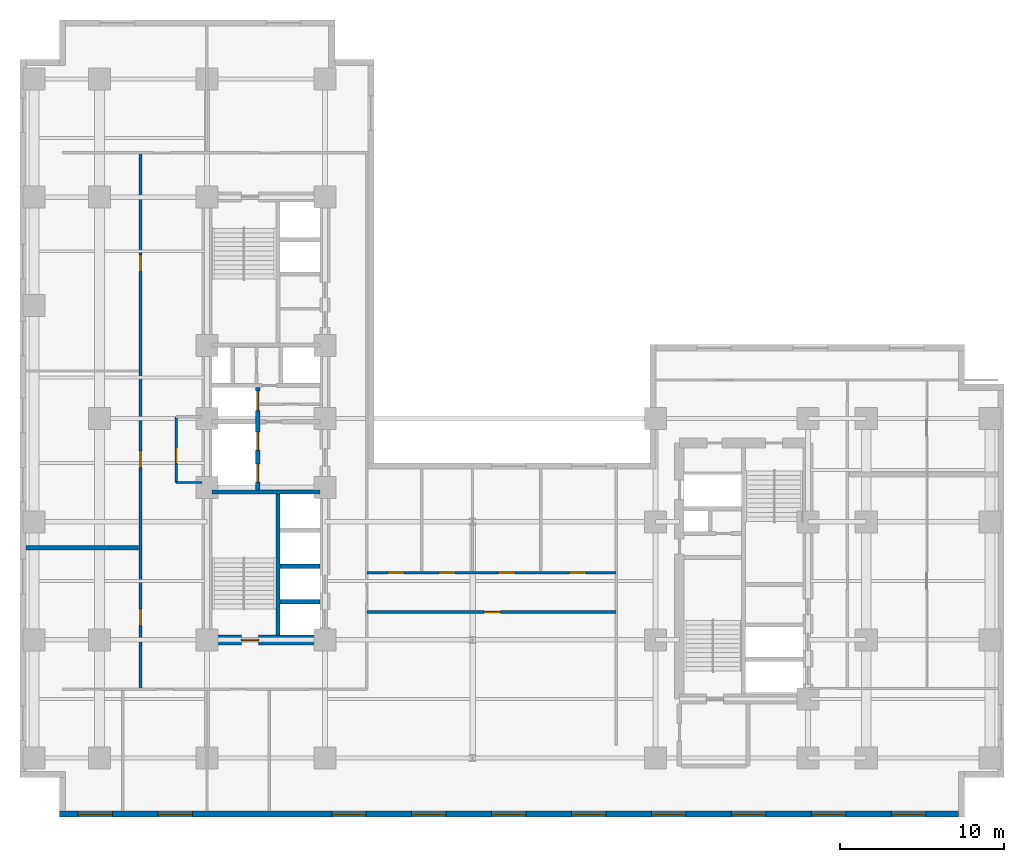
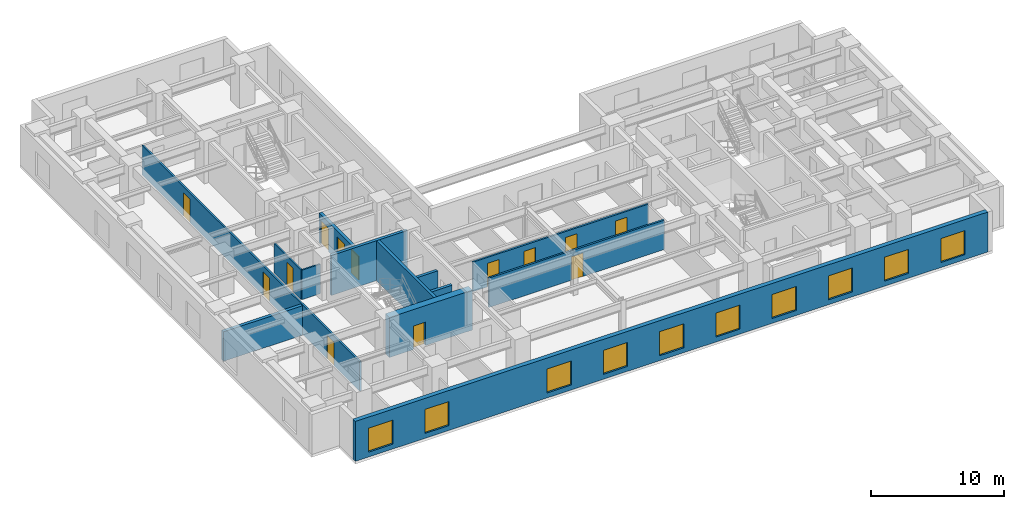
# One storey, part 3 of 9: 13 doors, 13 walls, 10 windows, 23 openings.
"""IFC4 building model written with IfcOpenShell, lengths in metres."""

import ifcopenshell
import ifcopenshell.guid

model = None  # the IFC model being written
_history = None  # IfcOwnerHistory: only IFC2X3 demands one
_inside = {}  # id of a spatial element -> (the spatial element, [elements in it])
_under = {}  # id of a project, library or spatial element -> (it, [spatial elements below it])
_declared = {}  # id of a project -> (the project, [libraries it declares])
_typed = {}  # id of a type object -> (the type object, [elements of that type])
_made_of = {}  # id of a material, layer set ... -> (it, [elements and type objects made of it])


def new_model(schema):
    """Start an empty IFC model of exactly this schema.

    Asked for "IFC4X3", IfcOpenShell would pick the latest addendum, in which some entities
    have other attributes; the version numbers below select the first issue.
    IFC2X3 requires an IfcOwnerHistory on every rooted entity: one is made here for all.
    """
    global model, _history
    if schema == "IFC4X3":
        model = ifcopenshell.file(schema_version=(4, 3, 0, 0))
    else:
        model = ifcopenshell.file(schema=schema)
    _inside.clear()
    _under.clear()
    _declared.clear()
    _typed.clear()
    _made_of.clear()
    _history = None
    if model.schema == "IFC2X3":
        org = make("IfcOrganization", Name="unknown")
        user = make(
            "IfcPersonAndOrganization",
            ThePerson=make("IfcPerson", FamilyName="unknown"),
            TheOrganization=org,
        )
        app = make(
            "IfcApplication",
            ApplicationDeveloper=org,
            Version="unknown",
            ApplicationFullName="unknown",
            ApplicationIdentifier="unknown",
        )
        _history = make(
            "IfcOwnerHistory",
            OwningUser=user,
            OwningApplication=app,
            ChangeAction="ADDED",
            CreationDate=0,
        )
    return model


def make(cls, **values):
    """One entity of the class cls with the attributes given. An attribute that is None is left unset."""
    return model.create_entity(
        cls, **{name: value for name, value in values.items() if value is not None}
    )


def entity(cls, *values):
    """Any entity or typed value of the class cls, its attributes in the order of the schema. None: left unset."""
    e = model.create_entity(cls)
    for i, value in enumerate(values):
        if value is not None:
            e[i] = value
    return e


def rooted(cls, **values):
    """An entity with a GlobalId (a new one), such as an element, a storey or a relation."""
    return make(cls, GlobalId=ifcopenshell.guid.new(), OwnerHistory=_history, **values)


def si_unit(unit_type, name, prefix=None):
    """IfcSIUnit, for example si_unit("LENGTHUNIT", "METRE", prefix="MILLI")."""
    return make("IfcSIUnit", UnitType=unit_type, Prefix=prefix, Name=name)


def converted_unit(unit_type, name, factor, base, dimensions=None, offset=None):
    """IfcConversionBasedUnit, such as the inch: factor (a typed value) times the base unit."""
    return make(
        "IfcConversionBasedUnit"
        if offset is None
        else "IfcConversionBasedUnitWithOffset",
        ConversionOffset=offset,
        Dimensions=None
        if dimensions is None
        else entity("IfcDimensionalExponents", *dimensions),
        UnitType=unit_type,
        Name=name,
        ConversionFactor=make(
            "IfcMeasureWithUnit", ValueComponent=factor, UnitComponent=base
        ),
    )


def assignment(units):
    """IfcUnitAssignment: the units of a project."""
    return None if units is None else make("IfcUnitAssignment", Units=units)


def point(xyz):
    """IfcCartesianPoint."""
    return None if xyz is None else make("IfcCartesianPoint", Coordinates=xyz)


def direction(xyz):
    """IfcDirection."""
    return None if xyz is None else make("IfcDirection", DirectionRatios=xyz)


def frame(location, z_axis=None, x_axis=None):
    """IfcAxis2Placement3D, a coordinate frame: its origin and axes. An axis left out is left unset."""
    return make(
        "IfcAxis2Placement3D",
        Location=point(location),
        Axis=direction(z_axis),
        RefDirection=direction(x_axis),
    )


def frame_2d(location, x_axis=None):
    """IfcAxis2Placement2D, a coordinate frame in the plane: its origin and x axis."""
    return make(
        "IfcAxis2Placement2D", Location=point(location), RefDirection=direction(x_axis)
    )


def origin_with_axes():
    """The frame at (0, 0, 0) with the z axis (0, 0, 1) and the x axis (1, 0, 0) written out."""
    return frame((0.0, 0.0, 0.0), z_axis=(0.0, 0.0, 1.0), x_axis=(1.0, 0.0, 0.0))


def origin_2d_with_axis():
    """The frame at (0, 0) in the plane with the x axis (1, 0) written out."""
    return frame_2d((0.0, 0.0), x_axis=(1.0, 0.0))


def place(relative_to, where):
    """IfcLocalPlacement: puts the frame where relative to a parent placement (None: the world)."""
    return make(
        "IfcLocalPlacement", PlacementRelTo=relative_to, RelativePlacement=where
    )


def context(
    kind, dimensions, precision=None, world=None, true_north=None, identifier=None
):
    """IfcGeometricRepresentationContext, for example the 3D "Model" context."""
    return make(
        "IfcGeometricRepresentationContext",
        ContextIdentifier=identifier,
        ContextType=kind,
        CoordinateSpaceDimension=dimensions,
        Precision=precision,
        WorldCoordinateSystem=world,
        TrueNorth=true_north,
    )


def subcontext(parent, identifier, kind, view, scale=None):
    """IfcGeometricRepresentationSubContext, for example "Body" below "Model"."""
    return make(
        "IfcGeometricRepresentationSubContext",
        ContextIdentifier=identifier,
        ContextType=kind,
        ParentContext=parent,
        TargetScale=scale,
        TargetView=view,
    )


def project(units=None, contexts=None):
    """IfcProject with its units and contexts."""
    return rooted(
        "IfcProject",
        Name="project",
        RepresentationContexts=contexts,
        UnitsInContext=assignment(units),
    )


def spatial(cls, under=None, at=None, **own):
    """A site, building, storey or space (cls), placed at a placement, below another one or the project."""
    s = rooted(cls, ObjectPlacement=at, **own)
    if under is not None:
        _under.setdefault(under.id(), (under, []))[1].append(s)
    return s


def polyline(points):
    """IfcPolyline through the points."""
    return make("IfcPolyline", Points=[point(p) for p in points])


def profile(cls, at=None, kind="AREA", **sizes):
    """A parametric profile (cls). Its sizes go by their IFC names, for example OverallWidth=200.0."""
    return make(cls, ProfileType=kind, Position=at, **sizes)


def rectangle(**sizes):
    """IfcRectangleProfileDef."""
    return profile("IfcRectangleProfileDef", **sizes)


def outline(outer, holes=None, kind="AREA"):
    """IfcArbitraryClosedProfileDef: a profile drawn as a closed curve; with holes, ...WithVoids."""
    if holes is None:
        return make("IfcArbitraryClosedProfileDef", ProfileType=kind, OuterCurve=outer)
    return make(
        "IfcArbitraryProfileDefWithVoids",
        ProfileType=kind,
        OuterCurve=outer,
        InnerCurves=holes,
    )


def extrude(swept, where, along, depth):
    """IfcExtrudedAreaSolid: the profile swept, set in the frame where, extruded along a direction by depth."""
    return make(
        "IfcExtrudedAreaSolid",
        SweptArea=swept,
        Position=where,
        ExtrudedDirection=direction(along),
        Depth=depth,
    )


def shape(context_of_items, identifier, shape_type, items):
    """IfcShapeRepresentation: the items that make up one representation, for example the "Body"."""
    return make(
        "IfcShapeRepresentation",
        ContextOfItems=context_of_items,
        RepresentationIdentifier=identifier,
        RepresentationType=shape_type,
        Items=items,
    )


def material(Name=None, Category=None):
    """IfcMaterial."""
    return make("IfcMaterial", Name=Name, Category=Category)


def layer(
    of_material, thickness, ventilated=None, Name=None, Category=None, Priority=None
):
    """IfcMaterialLayer: one layer of a wall or slab, of a material (None: an air gap)."""
    return make(
        "IfcMaterialLayer",
        Material=of_material,
        LayerThickness=thickness,
        IsVentilated=ventilated,
        Name=Name,
        Category=Category,
        Priority=Priority,
    )


def layer_set(layers, Name=None):
    """IfcMaterialLayerSet."""
    return make("IfcMaterialLayerSet", MaterialLayers=layers, LayerSetName=Name)


def made_of(thing, what):
    """Note that an element or type object is made of a material, layer set ...; save() writes the relation."""
    if what is not None:
        _made_of.setdefault(what.id(), (what, []))[1].append(thing)
    return thing


def type_object(cls, material=None, **own):
    """A type object (cls), such as IfcWallType, which elements share."""
    return made_of(rooted(cls, **own), material)


def element(
    cls,
    number,
    at=None,
    inside=None,
    cuts=None,
    type_object=None,
    material=None,
    context=None,
    identifier="Body",
    shape_type=None,
    held_by="IfcProductDefinitionShape",
    body=None,
    shapes=None,
    **own,
):
    """One element of the class cls, such as IfcWall. Its Tag is "e" and its number.

    at: its placement. inside: the storey or other place that contains it. cuts: it is an
    opening in that element (IfcRelVoidsElement). A single representation is given by context,
    identifier, shape_type and body (its items); several are given by shapes. held_by: the class
    of the entity that holds the representations. save() writes the other relations.
    """
    e = rooted(cls, Tag="e%d" % number, ObjectPlacement=at, **own)
    if body is not None:
        shapes = [shape(context, identifier, shape_type, body)]
    if shapes is not None:
        e.Representation = make(held_by, Representations=shapes)
    if inside is not None:
        _inside.setdefault(inside.id(), (inside, []))[1].append(e)
    if cuts is not None:
        rooted(
            "IfcRelVoidsElement", RelatingBuildingElement=cuts, RelatedOpeningElement=e
        )
    if type_object is not None:
        _typed.setdefault(type_object.id(), (type_object, []))[1].append(e)
    return made_of(e, material)


def fill(opening, filler):
    """IfcRelFillsElement: the door or window that sits in an opening."""
    return rooted(
        "IfcRelFillsElement",
        RelatingOpeningElement=opening,
        RelatedBuildingElement=filler,
    )


def aggregate(whole, parts):
    """IfcRelAggregates: a whole, such as a stair, and the parts it consists of."""
    return rooted("IfcRelAggregates", RelatingObject=whole, RelatedObjects=parts)


def save(model, path):
    """Write the relations noted so far, then the file.

    IfcRelAggregates (storeys below a building ...), IfcRelContainedInSpatialStructure (elements
    in a storey), IfcRelDefinesByType, IfcRelAssociatesMaterial and IfcRelDeclares: one each for
    every whole, place, type object, material and project.
    """
    for whole, parts in _under.values():
        aggregate(whole, parts)
    for where, things in _inside.values():
        rooted(
            "IfcRelContainedInSpatialStructure",
            RelatedElements=things,
            RelatingStructure=where,
        )
    for kind, things in _typed.values():
        rooted("IfcRelDefinesByType", RelatedObjects=things, RelatingType=kind)
    for what, things in _made_of.values():
        rooted("IfcRelAssociatesMaterial", RelatedObjects=things, RelatingMaterial=what)
    for by, libraries in _declared.values():
        rooted("IfcRelDeclares", RelatingContext=by, RelatedDefinitions=libraries)
    model.write(path)


model = new_model("IFC4")

# Units and contexts
model_context = context("Model", 3, precision=1e-05, world=origin_with_axes(), true_north=direction((0.0, 1.0)))
body_context = subcontext(model_context, "Body", "Model", "MODEL_VIEW")
ifc_project = project(units=[si_unit("LENGTHUNIT", "METRE"), si_unit("AREAUNIT", "SQUARE_METRE"), si_unit("VOLUMEUNIT", "CUBIC_METRE"), converted_unit("PLANEANGLEUNIT", "DEGREE", entity("IfcPlaneAngleMeasure", 0.017453292519943295), si_unit("PLANEANGLEUNIT", "RADIAN"), dimensions=[0, 0, 0, 0, 0, 0, 0]), si_unit("MASSUNIT", "GRAM", prefix="KILO"), si_unit("THERMODYNAMICTEMPERATUREUNIT", "KELVIN")], contexts=[model_context])

# Site, building, storey
site_placement = place(None, origin_with_axes())
site = spatial("IfcSite", under=ifc_project, at=site_placement, CompositionType="ELEMENT")
building_placement = place(site_placement, origin_with_axes())
building = spatial("IfcBuilding", under=site, at=building_placement, Name="Varnlund Millrace Tower", CompositionType="ELEMENT")
storey_placement = place(building_placement, frame((0.0, 0.0, 63.9), z_axis=(0.0, 0.0, 1.0), x_axis=(1.0, 0.0, 0.0)))
storey = spatial("IfcBuildingStorey", under=building, at=storey_placement, Name="L15", CompositionType="ELEMENT", Elevation=63.9)

# Wall, opening, door
ifc_material_1 = material(Name="Concrete C80/95", Category="concrete")
ifc_layer_1 = layer(ifc_material_1, 0.6, Name="Concrete C80/95")
ifc_layer_set_1 = layer_set([ifc_layer_1], Name="Concrete C80/95")
wall_type_1 = type_object("IfcWallType", Name="Type-CoreWall-Shear-600-C80", PredefinedType="SHEAR", material=ifc_layer_set_1)
wall_1_placement = place(storey_placement, frame((11.4, 10.8, 0.0), z_axis=(0.0, 0.0, 1.0), x_axis=(1.0, 0.0, 0.0)))
wall_1 = element("IfcWall", 1, at=wall_1_placement, inside=storey, type_object=wall_type_1, Name="Type-CoreWall-Shear-600-C80", PredefinedType="SHEAR", context=body_context, shape_type="SweptSolid", body=[
    extrude(outline(polyline([(0.0, -0.3), (7.2, -0.3), (7.2, 0.3), (0.0, 0.3), (0.0, -0.3)])), origin_with_axes(), (0.0, 0.0, 1.0), 3.66),
])
opening_1_placement = place(wall_1_placement, frame((2.625, 0.0, 0.0), z_axis=(0.0, 0.0, 1.0), x_axis=(1.0, 0.0, 0.0)))
opening_1 = element("IfcOpeningElement", 2, at=opening_1_placement, cuts=wall_1, Name="Opening L15:DR-STA1", PredefinedType="OPENING", context=body_context, shape_type="SweptSolid", body=[
    extrude(rectangle(XDim=1.05, YDim=0.62, at=origin_2d_with_axis()), origin_with_axes(), (0.0, 0.0, 1.0), 2.15),
])
ifc_material_2 = material(Name="Fire-rated hollow steel door", Category="steel")
door_type_1 = type_object("IfcDoorType", Name="Type-FireDoor-Stair-1050X2150", OperationType="NOTDEFINED", PredefinedType="DOOR", material=ifc_material_2)
door_1_placement = place(wall_1_placement, frame((2.625, 0.0, 0.0), z_axis=(0.0, 0.0, 1.0), x_axis=(1.0, 0.0, 0.0)))
door_1 = element("IfcDoor", 3, at=door_1_placement, inside=storey, type_object=door_type_1, Name="Type-FireDoor-Stair-1050X2150", OperationType="SINGLE_SWING_LEFT", OverallHeight=2.15, OverallWidth=1.05, PredefinedType="DOOR", context=body_context, shape_type="SweptSolid", body=[
    extrude(rectangle(XDim=1.05, YDim=0.09, at=origin_2d_with_axis()), origin_with_axes(), (0.0, 0.0, 1.0), 2.15),
])
fill(opening_1, door_1)

# Wall, openings, windows
ifc_material_3 = material(Name="Precast concrete C50/60", Category="concrete")
ifc_layer_2 = layer(ifc_material_3, 0.38, Name="Precast concrete C50/60")
ifc_layer_set_2 = layer_set([ifc_layer_2], Name="Precast concrete C50/60")
wall_type_2 = type_object("IfcWallType", Name="Type-ExtWall-Precast-Tube-380", PredefinedType="SOLIDWALL", material=ifc_layer_set_2)
wall_2_placement = place(storey_placement, frame((57.22, 0.19, 0.0), z_axis=(0.0, 0.0, 1.0), x_axis=(-1.0, 0.0, 0.0)))
wall_2 = element("IfcWall", 4, at=wall_2_placement, inside=storey, type_object=wall_type_2, Name="Type-ExtWall-Precast-Tube-380", PredefinedType="SOLIDWALL", context=body_context, shape_type="SweptSolid", body=[
    extrude(outline(polyline([(0.0, -0.19), (54.82, -0.19), (54.82, 0.19), (0.0, 0.19), (0.0, -0.19)])), origin_with_axes(), (0.0, 0.0, 1.0), 3.66),
])
opening_2_placement = place(wall_2_placement, frame((3.037, 0.0, 0.45), z_axis=(0.0, 0.0, 1.0), x_axis=(1.0, 0.0, 0.0)))
opening_2 = element("IfcOpeningElement", 5, at=opening_2_placement, cuts=wall_2, Name="Opening L15:WN-05", PredefinedType="OPENING", context=body_context, shape_type="SweptSolid", body=[
    extrude(rectangle(XDim=2.1, YDim=0.4, at=origin_2d_with_axis()), origin_with_axes(), (0.0, 0.0, 1.0), 2.2),
])
opening_3_placement = place(wall_2_placement, frame((7.912, 0.0, 0.45), z_axis=(0.0, 0.0, 1.0), x_axis=(1.0, 0.0, 0.0)))
opening_3 = element("IfcOpeningElement", 6, at=opening_3_placement, cuts=wall_2, Name="Opening L15:WN-06", PredefinedType="OPENING", context=body_context, shape_type="SweptSolid", body=[
    extrude(rectangle(XDim=2.1, YDim=0.4, at=origin_2d_with_axis()), origin_with_axes(), (0.0, 0.0, 1.0), 2.2),
])
opening_4_placement = place(wall_2_placement, frame((12.786, 0.0, 0.45), z_axis=(0.0, 0.0, 1.0), x_axis=(1.0, 0.0, 0.0)))
opening_4 = element("IfcOpeningElement", 7, at=opening_4_placement, cuts=wall_2, Name="Opening L15:WN-07", PredefinedType="OPENING", context=body_context, shape_type="SweptSolid", body=[
    extrude(rectangle(XDim=2.1, YDim=0.4, at=origin_2d_with_axis()), origin_with_axes(), (0.0, 0.0, 1.0), 2.2),
])
opening_5_placement = place(wall_2_placement, frame((17.661, 0.0, 0.45), z_axis=(0.0, 0.0, 1.0), x_axis=(1.0, 0.0, 0.0)))
opening_5 = element("IfcOpeningElement", 8, at=opening_5_placement, cuts=wall_2, Name="Opening L15:WN-08", PredefinedType="OPENING", context=body_context, shape_type="SweptSolid", body=[
    extrude(rectangle(XDim=2.1, YDim=0.4, at=origin_2d_with_axis()), origin_with_axes(), (0.0, 0.0, 1.0), 2.2),
])
opening_6_placement = place(wall_2_placement, frame((22.535, 0.0, 0.45), z_axis=(0.0, 0.0, 1.0), x_axis=(1.0, 0.0, 0.0)))
opening_6 = element("IfcOpeningElement", 9, at=opening_6_placement, cuts=wall_2, Name="Opening L15:WN-09", PredefinedType="OPENING", context=body_context, shape_type="SweptSolid", body=[
    extrude(rectangle(XDim=2.1, YDim=0.4, at=origin_2d_with_axis()), origin_with_axes(), (0.0, 0.0, 1.0), 2.2),
])
opening_7_placement = place(wall_2_placement, frame((27.41, 0.0, 0.45), z_axis=(0.0, 0.0, 1.0), x_axis=(1.0, 0.0, 0.0)))
opening_7 = element("IfcOpeningElement", 10, at=opening_7_placement, cuts=wall_2, Name="Opening L15:WN-10", PredefinedType="OPENING", context=body_context, shape_type="SweptSolid", body=[
    extrude(rectangle(XDim=2.1, YDim=0.4, at=origin_2d_with_axis()), origin_with_axes(), (0.0, 0.0, 1.0), 2.2),
])
opening_8_placement = place(wall_2_placement, frame((32.285, 0.0, 0.45), z_axis=(0.0, 0.0, 1.0), x_axis=(1.0, 0.0, 0.0)))
opening_8 = element("IfcOpeningElement", 11, at=opening_8_placement, cuts=wall_2, Name="Opening L15:WN-11", PredefinedType="OPENING", context=body_context, shape_type="SweptSolid", body=[
    extrude(rectangle(XDim=2.1, YDim=0.4, at=origin_2d_with_axis()), origin_with_axes(), (0.0, 0.0, 1.0), 2.2),
])
opening_9_placement = place(wall_2_placement, frame((37.159, 0.0, 0.45), z_axis=(0.0, 0.0, 1.0), x_axis=(1.0, 0.0, 0.0)))
opening_9 = element("IfcOpeningElement", 12, at=opening_9_placement, cuts=wall_2, Name="Opening L15:WN-12", PredefinedType="OPENING", context=body_context, shape_type="SweptSolid", body=[
    extrude(rectangle(XDim=2.1, YDim=0.4, at=origin_2d_with_axis()), origin_with_axes(), (0.0, 0.0, 1.0), 2.2),
])
opening_10_placement = place(wall_2_placement, frame((47.758, 0.0, 0.45), z_axis=(0.0, 0.0, 1.0), x_axis=(1.0, 0.0, 0.0)))
opening_10 = element("IfcOpeningElement", 13, at=opening_10_placement, cuts=wall_2, Name="Opening L15:WN-13", PredefinedType="OPENING", context=body_context, shape_type="SweptSolid", body=[
    extrude(rectangle(XDim=2.1, YDim=0.4, at=origin_2d_with_axis()), origin_with_axes(), (0.0, 0.0, 1.0), 2.2),
])
opening_11_placement = place(wall_2_placement, frame((52.633, 0.0, 0.45), z_axis=(0.0, 0.0, 1.0), x_axis=(1.0, 0.0, 0.0)))
opening_11 = element("IfcOpeningElement", 14, at=opening_11_placement, cuts=wall_2, Name="Opening L15:WN-14", PredefinedType="OPENING", context=body_context, shape_type="SweptSolid", body=[
    extrude(rectangle(XDim=2.1, YDim=0.4, at=origin_2d_with_axis()), origin_with_axes(), (0.0, 0.0, 1.0), 2.2),
])
ifc_material_4 = material(Name="Argon low-e triple glazing in thermally broken bronze frame", Category="glass")
window_type = type_object("IfcWindowType", Name="Type-Window-Punched-2100X2200", PartitioningType="SINGLE_PANEL", PredefinedType="WINDOW", material=ifc_material_4)
window_1_placement = place(wall_2_placement, frame((3.037, 0.0, 0.45), z_axis=(0.0, 0.0, 1.0), x_axis=(1.0, 0.0, 0.0)))
window_1 = element("IfcWindow", 15, at=window_1_placement, inside=storey, type_object=window_type, Name="Type-Window-Punched-2100X2200", OverallHeight=2.2, OverallWidth=2.1, PredefinedType="WINDOW", context=body_context, shape_type="SweptSolid", body=[
    extrude(rectangle(XDim=2.1, YDim=0.09, at=origin_2d_with_axis()), origin_with_axes(), (0.0, 0.0, 1.0), 2.2),
])
fill(opening_2, window_1)
window_2_placement = place(wall_2_placement, frame((7.912, 0.0, 0.45), z_axis=(0.0, 0.0, 1.0), x_axis=(1.0, 0.0, 0.0)))
window_2 = element("IfcWindow", 16, at=window_2_placement, inside=storey, type_object=window_type, Name="Type-Window-Punched-2100X2200", OverallHeight=2.2, OverallWidth=2.1, PredefinedType="WINDOW", context=body_context, shape_type="SweptSolid", body=[
    extrude(rectangle(XDim=2.1, YDim=0.09, at=origin_2d_with_axis()), origin_with_axes(), (0.0, 0.0, 1.0), 2.2),
])
fill(opening_3, window_2)
window_3_placement = place(wall_2_placement, frame((12.786, 0.0, 0.45), z_axis=(0.0, 0.0, 1.0), x_axis=(1.0, 0.0, 0.0)))
window_3 = element("IfcWindow", 17, at=window_3_placement, inside=storey, type_object=window_type, Name="Type-Window-Punched-2100X2200", OverallHeight=2.2, OverallWidth=2.1, PredefinedType="WINDOW", context=body_context, shape_type="SweptSolid", body=[
    extrude(rectangle(XDim=2.1, YDim=0.09, at=origin_2d_with_axis()), origin_with_axes(), (0.0, 0.0, 1.0), 2.2),
])
fill(opening_4, window_3)
window_4_placement = place(wall_2_placement, frame((17.661, 0.0, 0.45), z_axis=(0.0, 0.0, 1.0), x_axis=(1.0, 0.0, 0.0)))
window_4 = element("IfcWindow", 18, at=window_4_placement, inside=storey, type_object=window_type, Name="Type-Window-Punched-2100X2200", OverallHeight=2.2, OverallWidth=2.1, PredefinedType="WINDOW", context=body_context, shape_type="SweptSolid", body=[
    extrude(rectangle(XDim=2.1, YDim=0.09, at=origin_2d_with_axis()), origin_with_axes(), (0.0, 0.0, 1.0), 2.2),
])
fill(opening_5, window_4)
window_5_placement = place(wall_2_placement, frame((22.535, 0.0, 0.45), z_axis=(0.0, 0.0, 1.0), x_axis=(1.0, 0.0, 0.0)))
window_5 = element("IfcWindow", 19, at=window_5_placement, inside=storey, type_object=window_type, Name="Type-Window-Punched-2100X2200", OverallHeight=2.2, OverallWidth=2.1, PredefinedType="WINDOW", context=body_context, shape_type="SweptSolid", body=[
    extrude(rectangle(XDim=2.1, YDim=0.09, at=origin_2d_with_axis()), origin_with_axes(), (0.0, 0.0, 1.0), 2.2),
])
fill(opening_6, window_5)
window_6_placement = place(wall_2_placement, frame((27.41, 0.0, 0.45), z_axis=(0.0, 0.0, 1.0), x_axis=(1.0, 0.0, 0.0)))
window_6 = element("IfcWindow", 20, at=window_6_placement, inside=storey, type_object=window_type, Name="Type-Window-Punched-2100X2200", OverallHeight=2.2, OverallWidth=2.1, PredefinedType="WINDOW", context=body_context, shape_type="SweptSolid", body=[
    extrude(rectangle(XDim=2.1, YDim=0.09, at=origin_2d_with_axis()), origin_with_axes(), (0.0, 0.0, 1.0), 2.2),
])
fill(opening_7, window_6)
window_7_placement = place(wall_2_placement, frame((32.285, 0.0, 0.45), z_axis=(0.0, 0.0, 1.0), x_axis=(1.0, 0.0, 0.0)))
window_7 = element("IfcWindow", 21, at=window_7_placement, inside=storey, type_object=window_type, Name="Type-Window-Punched-2100X2200", OverallHeight=2.2, OverallWidth=2.1, PredefinedType="WINDOW", context=body_context, shape_type="SweptSolid", body=[
    extrude(rectangle(XDim=2.1, YDim=0.09, at=origin_2d_with_axis()), origin_with_axes(), (0.0, 0.0, 1.0), 2.2),
])
fill(opening_8, window_7)
window_8_placement = place(wall_2_placement, frame((37.159, 0.0, 0.45), z_axis=(0.0, 0.0, 1.0), x_axis=(1.0, 0.0, 0.0)))
window_8 = element("IfcWindow", 22, at=window_8_placement, inside=storey, type_object=window_type, Name="Type-Window-Punched-2100X2200", OverallHeight=2.2, OverallWidth=2.1, PredefinedType="WINDOW", context=body_context, shape_type="SweptSolid", body=[
    extrude(rectangle(XDim=2.1, YDim=0.09, at=origin_2d_with_axis()), origin_with_axes(), (0.0, 0.0, 1.0), 2.2),
])
fill(opening_9, window_8)
window_9_placement = place(wall_2_placement, frame((47.758, 0.0, 0.45), z_axis=(0.0, 0.0, 1.0), x_axis=(1.0, 0.0, 0.0)))
window_9 = element("IfcWindow", 23, at=window_9_placement, inside=storey, type_object=window_type, Name="Type-Window-Punched-2100X2200", OverallHeight=2.2, OverallWidth=2.1, PredefinedType="WINDOW", context=body_context, shape_type="SweptSolid", body=[
    extrude(rectangle(XDim=2.1, YDim=0.09, at=origin_2d_with_axis()), origin_with_axes(), (0.0, 0.0, 1.0), 2.2),
])
fill(opening_10, window_9)
window_10_placement = place(wall_2_placement, frame((52.633, 0.0, 0.45), z_axis=(0.0, 0.0, 1.0), x_axis=(1.0, 0.0, 0.0)))
window_10 = element("IfcWindow", 24, at=window_10_placement, inside=storey, type_object=window_type, Name="Type-Window-Punched-2100X2200", OverallHeight=2.2, OverallWidth=2.1, PredefinedType="WINDOW", context=body_context, shape_type="SweptSolid", body=[
    extrude(rectangle(XDim=2.1, YDim=0.09, at=origin_2d_with_axis()), origin_with_axes(), (0.0, 0.0, 1.0), 2.2),
])
fill(opening_11, window_10)

# Wall
ifc_material_5 = material(Name="Double-stud STC-60 conference acoustic partition", Category="gypsum")
ifc_layer_3 = layer(ifc_material_5, 0.28, Name="Double-stud STC-60 conference acoustic partition")
ifc_layer_set_3 = layer_set([ifc_layer_3], Name="Double-stud STC-60 conference acoustic partition")
wall_type_3 = type_object("IfcWallType", Name="Type-Partition-Acoustic-280", PredefinedType="PARTITIONING", material=ifc_layer_set_3)
wall_3_placement = place(storey_placement, frame((0.375, 16.428, 0.0), z_axis=(0.0, 0.0, 1.0), x_axis=(1.0, 0.0, 0.0)))
element("IfcWall", 25, at=wall_3_placement, inside=storey, type_object=wall_type_3, Name="Type-Partition-Acoustic-280", PredefinedType="PARTITIONING", context=body_context, shape_type="SweptSolid", body=[
    extrude(outline(polyline([(0.0, -0.14), (6.855, -0.14), (6.855, 0.14), (0.0, 0.14), (0.0, -0.14)])), origin_with_axes(), (0.0, 0.0, 1.0), 2.7),
])

# Wall, openings, doors
ifc_material_6 = material(Name="Fire-rated gypsum board on cold-formed steel framing", Category="steel")
ifc_layer_4 = layer(ifc_material_6, 0.16, Name="Fire-rated gypsum board on cold-formed steel framing")
ifc_layer_set_4 = layer_set([ifc_layer_4], Name="Fire-rated gypsum board on cold-formed steel framing")
wall_type_4 = type_object("IfcWallType", Name="Type-Partition-Corridor-160", PredefinedType="PARTITIONING", material=ifc_layer_set_4)
wall_4_placement = place(storey_placement, frame((7.35, 7.8, 0.0), z_axis=(0.0, 0.0, 1.0), x_axis=(0.0, 1.0, 0.0)))
wall_4 = element("IfcWall", 26, at=wall_4_placement, inside=storey, type_object=wall_type_4, Name="Type-Partition-Corridor-160", PredefinedType="PARTITIONING", context=body_context, shape_type="SweptSolid", body=[
    extrude(outline(polyline([(0.0, -0.08), (32.7, -0.08), (32.7, 0.08), (0.0, 0.08), (0.0, -0.08)])), origin_with_axes(), (0.0, 0.0, 1.0), 2.7),
])
opening_12_placement = place(wall_4_placement, frame((4.379, 0.0, 0.0), z_axis=(0.0, 0.0, 1.0), x_axis=(1.0, 0.0, 0.0)))
opening_12 = element("IfcOpeningElement", 27, at=opening_12_placement, cuts=wall_4, Name="Opening L15:DR-W-01", PredefinedType="OPENING", context=body_context, shape_type="SweptSolid", body=[
    extrude(rectangle(XDim=1.0, YDim=0.18, at=origin_2d_with_axis()), origin_with_axes(), (0.0, 0.0, 1.0), 2.15),
])
opening_13_placement = place(wall_4_placement, frame((14.0075, 0.0, 0.0), z_axis=(0.0, 0.0, 1.0), x_axis=(1.0, 0.0, 0.0)))
opening_13 = element("IfcOpeningElement", 28, at=opening_13_placement, cuts=wall_4, Name="Opening L15:DR-W-02", PredefinedType="OPENING", context=body_context, shape_type="SweptSolid", body=[
    extrude(rectangle(XDim=1.0, YDim=0.18, at=origin_2d_with_axis()), origin_with_axes(), (0.0, 0.0, 1.0), 2.15),
])
opening_14_placement = place(wall_4_placement, frame((25.9785, 0.0, 0.0), z_axis=(0.0, 0.0, 1.0), x_axis=(1.0, 0.0, 0.0)))
opening_14 = element("IfcOpeningElement", 29, at=opening_14_placement, cuts=wall_4, Name="Opening L15:DR-W-03", PredefinedType="OPENING", context=body_context, shape_type="SweptSolid", body=[
    extrude(rectangle(XDim=1.0, YDim=0.18, at=origin_2d_with_axis()), origin_with_axes(), (0.0, 0.0, 1.0), 2.15),
])
ifc_material_7 = material(Name="Solid-core white oak and bronze frame door")
door_type_2 = type_object("IfcDoorType", Name="Type-IntDoor-Office-1000X2150", OperationType="NOTDEFINED", PredefinedType="DOOR", material=ifc_material_7)
door_2_placement = place(wall_4_placement, frame((4.379, 0.0, 0.0), z_axis=(0.0, 0.0, 1.0), x_axis=(1.0, 0.0, 0.0)))
door_2 = element("IfcDoor", 30, at=door_2_placement, inside=storey, type_object=door_type_2, Name="Type-IntDoor-Office-1000X2150", OperationType="SINGLE_SWING_LEFT", OverallHeight=2.15, OverallWidth=1.0, PredefinedType="DOOR", context=body_context, shape_type="SweptSolid", body=[
    extrude(rectangle(XDim=1.0, YDim=0.09, at=origin_2d_with_axis()), origin_with_axes(), (0.0, 0.0, 1.0), 2.15),
])
fill(opening_12, door_2)
door_3_placement = place(wall_4_placement, frame((14.0075, 0.0, 0.0), z_axis=(0.0, 0.0, 1.0), x_axis=(1.0, 0.0, 0.0)))
door_3 = element("IfcDoor", 31, at=door_3_placement, inside=storey, type_object=door_type_2, Name="Type-IntDoor-Office-1000X2150", OperationType="SINGLE_SWING_RIGHT", OverallHeight=2.15, OverallWidth=1.0, PredefinedType="DOOR", context=body_context, shape_type="SweptSolid", body=[
    extrude(rectangle(XDim=1.0, YDim=0.09, at=origin_2d_with_axis()), origin_with_axes(), (0.0, 0.0, 1.0), 2.15),
])
fill(opening_13, door_3)
door_4_placement = place(wall_4_placement, frame((25.9785, 0.0, 0.0), z_axis=(0.0, 0.0, 1.0), x_axis=(1.0, 0.0, 0.0)))
door_4 = element("IfcDoor", 32, at=door_4_placement, inside=storey, type_object=door_type_2, Name="Type-IntDoor-Office-1000X2150", OperationType="SINGLE_SWING_LEFT", OverallHeight=2.15, OverallWidth=1.0, PredefinedType="DOOR", context=body_context, shape_type="SweptSolid", body=[
    extrude(rectangle(XDim=1.0, YDim=0.09, at=origin_2d_with_axis()), origin_with_axes(), (0.0, 0.0, 1.0), 2.15),
])
fill(opening_14, door_4)

# Wall, opening, door
wall_5_placement = place(storey_placement, frame((21.15, 12.5, 0.0), z_axis=(0.0, 0.0, 1.0), x_axis=(1.0, 0.0, 0.0)))
wall_5 = element("IfcWall", 33, at=wall_5_placement, inside=storey, type_object=wall_type_4, Name="Type-Partition-Corridor-160", PredefinedType="PARTITIONING", context=body_context, shape_type="SweptSolid", body=[
    extrude(outline(polyline([(0.0, -0.08), (15.2, -0.08), (15.2, 0.08), (0.0, 0.08), (0.0, -0.08)])), origin_with_axes(), (0.0, 0.0, 1.0), 2.7),
])
opening_15_placement = place(wall_5_placement, frame((7.65, 0.0, 0.0), z_axis=(0.0, 0.0, 1.0), x_axis=(1.0, 0.0, 0.0)))
opening_15 = element("IfcOpeningElement", 34, at=opening_15_placement, cuts=wall_5, Name="Opening L15:DR-KNS-01", PredefinedType="OPENING", context=body_context, shape_type="SweptSolid", body=[
    extrude(rectangle(XDim=1.0, YDim=0.18, at=origin_2d_with_axis()), origin_with_axes(), (0.0, 0.0, 1.0), 2.15),
])
door_5_placement = place(wall_5_placement, frame((7.65, 0.0, 0.0), z_axis=(0.0, 0.0, 1.0), x_axis=(1.0, 0.0, 0.0)))
door_5 = element("IfcDoor", 35, at=door_5_placement, inside=storey, type_object=door_type_2, Name="Type-IntDoor-Office-1000X2150", OperationType="SINGLE_SWING_LEFT", OverallHeight=2.15, OverallWidth=1.0, PredefinedType="DOOR", context=body_context, shape_type="SweptSolid", body=[
    extrude(rectangle(XDim=1.0, YDim=0.09, at=origin_2d_with_axis()), origin_with_axes(), (0.0, 0.0, 1.0), 2.15),
])
fill(opening_15, door_5)

# Wall, openings, doors
wall_6_placement = place(storey_placement, frame((21.15, 14.9, 0.0), z_axis=(0.0, 0.0, 1.0), x_axis=(1.0, 0.0, 0.0)))
wall_6 = element("IfcWall", 36, at=wall_6_placement, inside=storey, type_object=wall_type_4, Name="Type-Partition-Corridor-160", PredefinedType="PARTITIONING", context=body_context, shape_type="SweptSolid", body=[
    extrude(outline(polyline([(0.0, -0.08), (15.2, -0.08), (15.2, 0.08), (0.0, 0.08), (0.0, -0.08)])), origin_with_axes(), (0.0, 0.0, 1.0), 2.7),
])
opening_16_placement = place(wall_6_placement, frame((1.7675, 0.0, 0.0), z_axis=(0.0, 0.0, 1.0), x_axis=(1.0, 0.0, 0.0)))
opening_16 = element("IfcOpeningElement", 37, at=opening_16_placement, cuts=wall_6, Name="Opening L15:DR-KN-01", PredefinedType="OPENING", context=body_context, shape_type="SweptSolid", body=[
    extrude(rectangle(XDim=1.0, YDim=0.18, at=origin_2d_with_axis()), origin_with_axes(), (0.0, 0.0, 1.0), 2.15),
])
opening_17_placement = place(wall_6_placement, frame((4.9025, 0.0, 0.0), z_axis=(0.0, 0.0, 1.0), x_axis=(1.0, 0.0, 0.0)))
opening_17 = element("IfcOpeningElement", 38, at=opening_17_placement, cuts=wall_6, Name="Opening L15:DR-KN-02", PredefinedType="OPENING", context=body_context, shape_type="SweptSolid", body=[
    extrude(rectangle(XDim=1.0, YDim=0.18, at=origin_2d_with_axis()), origin_with_axes(), (0.0, 0.0, 1.0), 2.15),
])
opening_18_placement = place(wall_6_placement, frame((8.5265, 0.0, 0.0), z_axis=(0.0, 0.0, 1.0), x_axis=(1.0, 0.0, 0.0)))
opening_18 = element("IfcOpeningElement", 39, at=opening_18_placement, cuts=wall_6, Name="Opening L15:DR-KN-03", PredefinedType="OPENING", context=body_context, shape_type="SweptSolid", body=[
    extrude(rectangle(XDim=1.0, YDim=0.18, at=origin_2d_with_axis()), origin_with_axes(), (0.0, 0.0, 1.0), 2.15),
])
opening_19_placement = place(wall_6_placement, frame((12.8615, 0.0, 0.0), z_axis=(0.0, 0.0, 1.0), x_axis=(1.0, 0.0, 0.0)))
opening_19 = element("IfcOpeningElement", 40, at=opening_19_placement, cuts=wall_6, Name="Opening L15:DR-KN-04", PredefinedType="OPENING", context=body_context, shape_type="SweptSolid", body=[
    extrude(rectangle(XDim=1.0, YDim=0.18, at=origin_2d_with_axis()), origin_with_axes(), (0.0, 0.0, 1.0), 2.15),
])
door_6_placement = place(wall_6_placement, frame((1.7675, 0.0, 0.0), z_axis=(0.0, 0.0, 1.0), x_axis=(1.0, 0.0, 0.0)))
door_6 = element("IfcDoor", 41, at=door_6_placement, inside=storey, type_object=door_type_2, Name="Type-IntDoor-Office-1000X2150", OperationType="SINGLE_SWING_LEFT", OverallHeight=2.15, OverallWidth=1.0, PredefinedType="DOOR", context=body_context, shape_type="SweptSolid", body=[
    extrude(rectangle(XDim=1.0, YDim=0.09, at=origin_2d_with_axis()), origin_with_axes(), (0.0, 0.0, 1.0), 2.15),
])
fill(opening_16, door_6)
door_7_placement = place(wall_6_placement, frame((4.9025, 0.0, 0.0), z_axis=(0.0, 0.0, 1.0), x_axis=(1.0, 0.0, 0.0)))
door_7 = element("IfcDoor", 42, at=door_7_placement, inside=storey, type_object=door_type_2, Name="Type-IntDoor-Office-1000X2150", OperationType="SINGLE_SWING_RIGHT", OverallHeight=2.15, OverallWidth=1.0, PredefinedType="DOOR", context=body_context, shape_type="SweptSolid", body=[
    extrude(rectangle(XDim=1.0, YDim=0.09, at=origin_2d_with_axis()), origin_with_axes(), (0.0, 0.0, 1.0), 2.15),
])
fill(opening_17, door_7)
door_8_placement = place(wall_6_placement, frame((8.5265, 0.0, 0.0), z_axis=(0.0, 0.0, 1.0), x_axis=(1.0, 0.0, 0.0)))
door_8 = element("IfcDoor", 43, at=door_8_placement, inside=storey, type_object=door_type_2, Name="Type-IntDoor-Office-1000X2150", OperationType="SINGLE_SWING_LEFT", OverallHeight=2.15, OverallWidth=1.0, PredefinedType="DOOR", context=body_context, shape_type="SweptSolid", body=[
    extrude(rectangle(XDim=1.0, YDim=0.09, at=origin_2d_with_axis()), origin_with_axes(), (0.0, 0.0, 1.0), 2.15),
])
fill(opening_18, door_8)
door_9_placement = place(wall_6_placement, frame((12.8615, 0.0, 0.0), z_axis=(0.0, 0.0, 1.0), x_axis=(1.0, 0.0, 0.0)))
door_9 = element("IfcDoor", 44, at=door_9_placement, inside=storey, type_object=door_type_2, Name="Type-IntDoor-Office-1000X2150", OperationType="SINGLE_SWING_RIGHT", OverallHeight=2.15, OverallWidth=1.0, PredefinedType="DOOR", context=body_context, shape_type="SweptSolid", body=[
    extrude(rectangle(XDim=1.0, YDim=0.09, at=origin_2d_with_axis()), origin_with_axes(), (0.0, 0.0, 1.0), 2.15),
])
fill(opening_19, door_9)

# Wall, opening, door
ifc_material_8 = material(Name="Moisture-resistant gypsum restroom partition", Category="gypsum")
ifc_layer_5 = layer(ifc_material_8, 0.14, Name="Moisture-resistant gypsum restroom partition")
ifc_layer_set_5 = layer_set([ifc_layer_5], Name="Moisture-resistant gypsum restroom partition")
wall_type_5 = type_object("IfcWallType", Name="Type-Partition-Wet-140", PredefinedType="PARTITIONING", material=ifc_layer_set_5)
wall_7_placement = place(storey_placement, frame((9.52, 20.4, 0.0), z_axis=(0.0, 0.0, 1.0), x_axis=(0.0, 1.0, 0.0)))
wall_7 = element("IfcWall", 45, at=wall_7_placement, inside=storey, type_object=wall_type_5, Name="Type-Partition-Wet-140", PredefinedType="PARTITIONING", context=body_context, shape_type="SweptSolid", body=[
    extrude(outline(polyline([(0.0, -0.07), (4.0, -0.07), (4.0, 0.07), (0.0, 0.07), (0.0, -0.07)])), origin_with_axes(), (0.0, 0.0, 1.0), 2.7),
])
opening_20_placement = place(wall_7_placement, frame((1.625, 0.0, 0.0), z_axis=(0.0, 0.0, 1.0), x_axis=(1.0, 0.0, 0.0)))
opening_20 = element("IfcOpeningElement", 46, at=opening_20_placement, cuts=wall_7, Name="Opening L15:DR-CA-WCW", PredefinedType="OPENING", context=body_context, shape_type="SweptSolid", body=[
    extrude(rectangle(XDim=0.95, YDim=0.16, at=origin_2d_with_axis()), origin_with_axes(), (0.0, 0.0, 1.0), 2.15),
])
ifc_material_9 = material(Name="Solid-core acoustic office door")
door_type_3 = type_object("IfcDoorType", Name="Type-IntDoor-Tenant-950X2150", OperationType="NOTDEFINED", PredefinedType="DOOR", material=ifc_material_9)
door_10_placement = place(wall_7_placement, frame((1.625, 0.0, 0.0), z_axis=(0.0, 0.0, 1.0), x_axis=(1.0, 0.0, 0.0)))
door_10 = element("IfcDoor", 47, at=door_10_placement, inside=storey, type_object=door_type_3, Name="Type-IntDoor-Tenant-950X2150", OperationType="SINGLE_SWING_LEFT", OverallHeight=2.15, OverallWidth=0.95, PredefinedType="DOOR", context=body_context, shape_type="SweptSolid", body=[
    extrude(rectangle(XDim=0.95, YDim=0.084, at=origin_2d_with_axis()), origin_with_axes(), (0.0, 0.0, 1.0), 2.15),
])
fill(opening_20, door_10)

# Wall
wall_8_placement = place(storey_placement, frame((9.52, 20.4, 0.0), z_axis=(0.0, 0.0, 1.0), x_axis=(1.0, 0.0, 0.0)))
element("IfcWall", 48, at=wall_8_placement, inside=storey, type_object=wall_type_5, Name="Type-Partition-Wet-140", PredefinedType="PARTITIONING", context=body_context, shape_type="SweptSolid", body=[
    extrude(outline(polyline([(0.0, -0.07), (1.58, -0.07), (1.58, 0.07), (0.0, 0.07), (0.0, -0.07)])), origin_with_axes(), (0.0, 0.0, 1.0), 2.7),
])

# Wall, openings, doors
ifc_material_10 = material(Name="Concrete C60/75", Category="concrete")
ifc_layer_6 = layer(ifc_material_10, 0.25, Name="Concrete C60/75")
ifc_layer_set_6 = layer_set([ifc_layer_6], Name="Concrete C60/75")
wall_type_6 = type_object("IfcWallType", Name="Type-ShaftWall-Fire-250", PredefinedType="SOLIDWALL", material=ifc_layer_set_6)
wall_9_placement = place(storey_placement, frame((14.5, 19.95, 0.0), z_axis=(0.0, 0.0, 1.0), x_axis=(0.0, 1.0, 0.0)))
wall_9 = element("IfcWall", 49, at=wall_9_placement, inside=storey, type_object=wall_type_6, Name="Type-ShaftWall-Fire-250", PredefinedType="SOLIDWALL", context=body_context, shape_type="SweptSolid", body=[
    extrude(outline(polyline([(0.0, -0.125), (6.25, -0.125), (6.25, 0.125), (0.0, 0.125), (0.0, -0.125)])), origin_with_axes(), (0.0, 0.0, 1.0), 2.7),
])
opening_21_placement = place(wall_9_placement, frame((1.025, 0.0, 0.0), z_axis=(0.0, 0.0, 1.0), x_axis=(1.0, 0.0, 0.0)))
opening_21 = element("IfcOpeningElement", 50, at=opening_21_placement, cuts=wall_9, Name="Opening L15:LD-FSAE1", PredefinedType="OPENING", context=body_context, shape_type="SweptSolid", body=[
    extrude(rectangle(XDim=1.1, YDim=0.27, at=origin_2d_with_axis()), origin_with_axes(), (0.0, 0.0, 1.0), 2.15),
])
opening_22_placement = place(wall_9_placement, frame((2.975, 0.0, 0.0), z_axis=(0.0, 0.0, 1.0), x_axis=(1.0, 0.0, 0.0)))
opening_22 = element("IfcOpeningElement", 51, at=opening_22_placement, cuts=wall_9, Name="Opening L15:LD-FSAE2", PredefinedType="OPENING", context=body_context, shape_type="SweptSolid", body=[
    extrude(rectangle(XDim=1.1, YDim=0.27, at=origin_2d_with_axis()), origin_with_axes(), (0.0, 0.0, 1.0), 2.15),
])
opening_23_placement = place(wall_9_placement, frame((5.425, 0.0, 0.0), z_axis=(0.0, 0.0, 1.0), x_axis=(1.0, 0.0, 0.0)))
opening_23 = element("IfcOpeningElement", 52, at=opening_23_placement, cuts=wall_9, Name="Opening L15:LD-SRV1", PredefinedType="OPENING", context=body_context, shape_type="SweptSolid", body=[
    extrude(rectangle(XDim=1.2, YDim=0.27, at=origin_2d_with_axis()), origin_with_axes(), (0.0, 0.0, 1.0), 2.15),
])
ifc_material_11 = material(Name="Stainless and architectural bronze sliding landing door")
door_type_4 = type_object("IfcDoorType", Name="Type-LiftLandingDoor-1100X2150", OperationType="NOTDEFINED", PredefinedType="DOOR", material=ifc_material_11)
door_11_placement = place(wall_9_placement, frame((1.025, 0.0, 0.0), z_axis=(0.0, 0.0, 1.0), x_axis=(1.0, 0.0, 0.0)))
door_11 = element("IfcDoor", 53, at=door_11_placement, inside=storey, type_object=door_type_4, Name="Type-LiftLandingDoor-1100X2150", OperationType="SLIDING_TO_LEFT", OverallHeight=2.15, OverallWidth=1.1, PredefinedType="DOOR", context=body_context, shape_type="SweptSolid", body=[
    extrude(rectangle(XDim=1.1, YDim=0.09, at=origin_2d_with_axis()), origin_with_axes(), (0.0, 0.0, 1.0), 2.15),
])
fill(opening_21, door_11)
door_12_placement = place(wall_9_placement, frame((2.975, 0.0, 0.0), z_axis=(0.0, 0.0, 1.0), x_axis=(1.0, 0.0, 0.0)))
door_12 = element("IfcDoor", 54, at=door_12_placement, inside=storey, type_object=door_type_4, Name="Type-LiftLandingDoor-1100X2150", OperationType="SLIDING_TO_RIGHT", OverallHeight=2.15, OverallWidth=1.1, PredefinedType="DOOR", context=body_context, shape_type="SweptSolid", body=[
    extrude(rectangle(XDim=1.1, YDim=0.09, at=origin_2d_with_axis()), origin_with_axes(), (0.0, 0.0, 1.0), 2.15),
])
fill(opening_22, door_12)
ifc_material_12 = material(Name="Heavy-duty freight sliding landing door")
door_type_5 = type_object("IfcDoorType", Name="Type-LiftLandingDoor-Service-1200X2150", OperationType="NOTDEFINED", PredefinedType="DOOR", material=ifc_material_12)
door_13_placement = place(wall_9_placement, frame((5.425, 0.0, 0.0), z_axis=(0.0, 0.0, 1.0), x_axis=(1.0, 0.0, 0.0)))
door_13 = element("IfcDoor", 55, at=door_13_placement, inside=storey, type_object=door_type_5, Name="Type-LiftLandingDoor-Service-1200X2150", OperationType="DOUBLE_DOOR_SLIDING", OverallHeight=2.15, OverallWidth=1.2, PredefinedType="DOOR", context=body_context, shape_type="SweptSolid", body=[
    extrude(rectangle(XDim=1.2, YDim=0.09, at=origin_2d_with_axis()), origin_with_axes(), (0.0, 0.0, 1.0), 2.15),
])
fill(opening_23, door_13)

# Walls
for number, where, z_axis, x_axis, name in (
    (56, (15.84, 13.13, 0.0), (0.0, 0.0, 1.0), (1.0, 0.0, 0.0), "Type-ShaftWall-Fire-250"),
    (57, (15.84, 15.29, 0.0), (0.0, 0.0, 1.0), (1.0, 0.0, 0.0), "Type-ShaftWall-Fire-250"),
):
    element("IfcWall", number, at=place(storey_placement, frame(where, z_axis=z_axis, x_axis=x_axis)), inside=storey, type_object=wall_type_6, Name=name, PredefinedType="SOLIDWALL", context=body_context, shape_type="SweptSolid", body=[
        extrude(outline(polyline([(0.0, -0.125), (2.46, -0.125), (2.46, 0.125), (0.0, 0.125), (0.0, -0.125)])), origin_with_axes(), (0.0, 0.0, 1.0), 2.7),
    ])
wall_type_7 = type_object("IfcWallType", Name="Type-StairWall-Shear-250", PredefinedType="SHEAR", material=ifc_layer_set_6)
wall_10_placement = place(storey_placement, frame((15.725, 11.1, 0.0), z_axis=(0.0, 0.0, 1.0), x_axis=(0.0, 1.0, 0.0)))
element("IfcWall", 58, at=wall_10_placement, inside=storey, type_object=wall_type_7, Name="Type-StairWall-Shear-250", PredefinedType="SHEAR", context=body_context, shape_type="SweptSolid", body=[
    extrude(outline(polyline([(0.0, -0.125), (8.6, -0.125), (8.6, 0.125), (0.0, 0.125), (0.0, -0.125)])), origin_with_axes(), (0.0, 0.0, 1.0), 3.66),
])
wall_11_placement = place(storey_placement, frame((11.7, 19.825, 0.0), z_axis=(0.0, 0.0, 1.0), x_axis=(1.0, 0.0, 0.0)))
element("IfcWall", 59, at=wall_11_placement, inside=storey, type_object=wall_type_7, Name="Type-StairWall-Shear-250", PredefinedType="SHEAR", context=body_context, shape_type="SweptSolid", body=[
    extrude(outline(polyline([(0.0, -0.125), (6.6, -0.125), (6.6, 0.125), (0.0, 0.125), (0.0, -0.125)])), origin_with_axes(), (0.0, 0.0, 1.0), 3.66),
])

save(model, "model.ifc")
